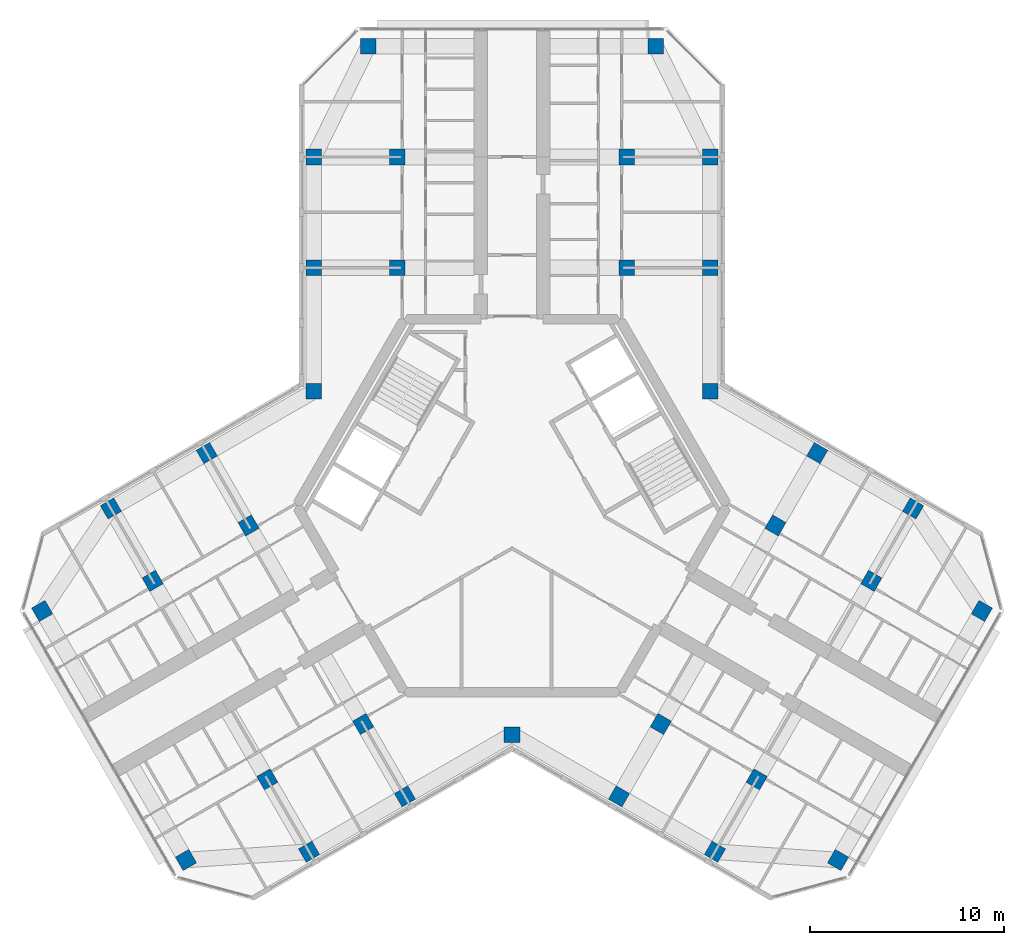
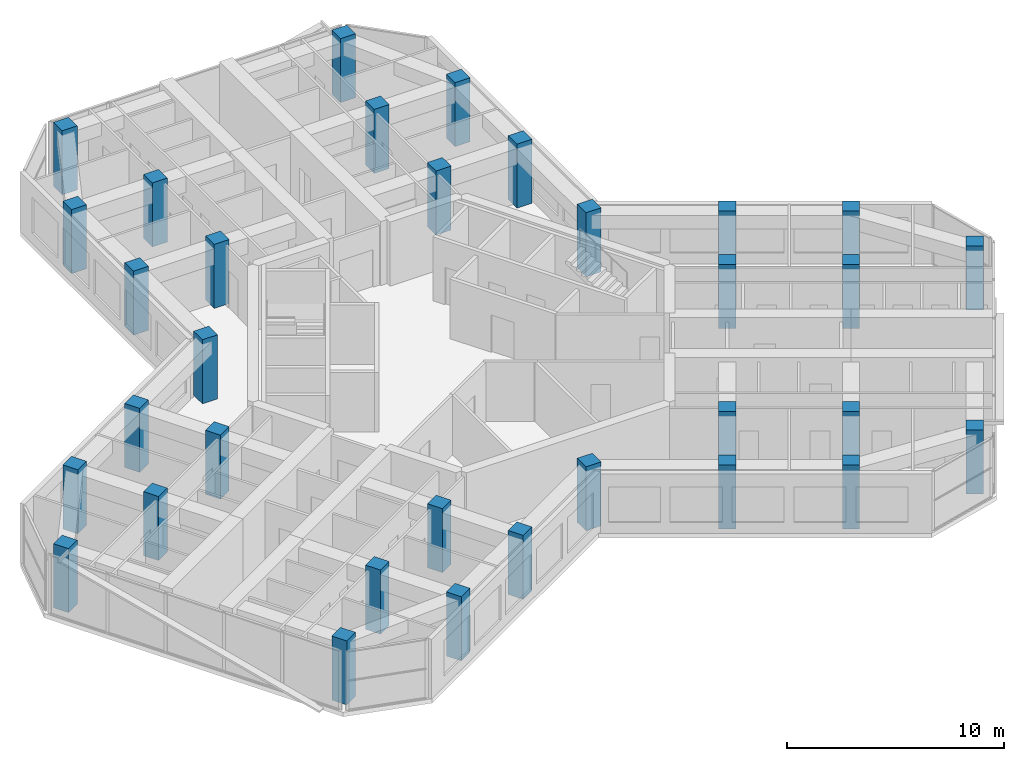
# One storey, part 1 of 14: 33 columns.
"""IFC4 building model written with IfcOpenShell, lengths in metres."""

from ifc_helpers import new_model, si_unit, direction, frame, origin, origin_2d, place, context, subcontext, project, spatial, rectangle, extrude, material, material_profile, profile_set, type_object, element, save


model = new_model("IFC4")

# Units and contexts
model_context = context("Model", 3, precision=1e-05, world=origin(), true_north=direction((0.0, 1.0)))
body_context = subcontext(model_context, "Body", "Model", "MODEL_VIEW")
ifc_project = project(units=[si_unit("LENGTHUNIT", "METRE"), si_unit("AREAUNIT", "SQUARE_METRE"), si_unit("VOLUMEUNIT", "CUBIC_METRE"), si_unit("PLANEANGLEUNIT", "RADIAN"), si_unit("MASSUNIT", "GRAM", prefix="KILO")], contexts=[model_context])

# Site, building, storey
site_placement = place(None, origin())
site = spatial("IfcSite", under=ifc_project, at=site_placement, CompositionType="ELEMENT")
building_placement = place(site_placement, origin())
building = spatial("IfcBuilding", under=site, at=building_placement, Name="Kosmar Iwan School Tower", CompositionType="ELEMENT")
storey_placement = place(building_placement, frame((0.0, 0.0, 289.0)))
storey = spatial("IfcBuildingStorey", under=building, at=storey_placement, Name="L73", CompositionType="ELEMENT", Elevation=289.0)

# Columns
ifc_material_1 = material(Name="Concrete C50/60", Category="concrete")
ifc_material_profile_1 = material_profile(ifc_material_1, rectangle(XDim=0.800048828125, YDim=0.800048828125, at=origin_2d()), Name="RC 800x800 + HE 300 M")
ifc_profile_set_1 = profile_set([ifc_material_profile_1], Name="Concrete C50/60")
column_type_1 = type_object("IfcColumnType", Name="Composite column 800x800 HE 300 M", PredefinedType="COLUMN", material=ifc_profile_set_1)
for number, where, z_axis, x_axis, name in (
    (1, (-10.199951171875, 12.25, 0.0), (0.0, 0.0, 1.0), (0.0, 1.0, 0.0), "Column AL1 L73"),
    (2, (-10.199951171875, 17.949951171875, 0.0), (0.0, 0.0, 1.0), (0.0, 1.0, 0.0), "Column AL2 L73"),
    (3, (-7.39990234375, 23.64990234375, 0.0), (0.0, 0.0, 1.0), (0.0, 1.0, 0.0), "Column ALTIP L73"),
    (4, (10.199951171875, 12.25, 0.0), (0.0, 0.0, 1.0), (0.0, 1.0, 0.0), "Column AR1 L73"),
    (5, (10.199951171875, 17.949951171875, 0.0), (0.0, 0.0, 1.0), (0.0, 1.0, 0.0), "Column AR2 L73"),
    (6, (7.39990234375, 23.64990234375, 0.0), (0.0, 0.0, 1.0), (0.0, 1.0, 0.0), "Column ARTIP L73"),
    (7, (-5.5087890625, -14.95849609375, 0.0), (0.0, 0.0, 1.0), (-0.866025403784, -0.5, 0.0), "Column BL1 L73"),
    (8, (-10.445068359375, -17.808349609375, 0.0), (0.0, 0.0, 1.0), (-0.866025403784, -0.5, 0.0), "Column BL2 L73"),
    (9, (-16.781494140625, -18.233642578125, 0.0), (0.0, 0.0, 1.0), (-0.866025403784, -0.5, 0.0), "Column BLTIP L73"),
    (10, (-15.708740234375, 2.70849609375, 0.0), (0.0, 0.0, 1.0), (-0.866025403784, -0.5, 0.0), "Column BR1 L73"),
    (11, (-20.645263671875, -0.1416015625, 0.0), (0.0, 0.0, 1.0), (-0.866025403784, -0.5, 0.0), "Column BR2 L73"),
    (12, (-24.181396484375, -5.41650390625, 0.0), (0.0, 0.0, 1.0), (-0.866025403784, -0.5, 0.0), "Column BRTIP L73"),
    (13, (15.708740234375, 2.70849609375, 0.0), (0.0, 0.0, 1.0), (0.866025403784, -0.5, 0.0), "Column CL1 L73"),
    (14, (20.645263671875, -0.1416015625, 0.0), (0.0, 0.0, 1.0), (0.866025403784, -0.5, 0.0), "Column CL2 L73"),
    (15, (24.181396484375, -5.41650390625, 0.0), (0.0, 0.0, 1.0), (0.866025403784, -0.5, 0.0), "Column CLTIP L73"),
    (16, (5.5087890625, -14.95849609375, 0.0), (0.0, 0.0, 1.0), (0.866025403784, -0.5, 0.0), "Column CR1 L73"),
    (17, (10.445068359375, -17.808349609375, 0.0), (0.0, 0.0, 1.0), (0.866025403784, -0.5, 0.0), "Column CR2 L73"),
    (18, (16.781494140625, -18.233642578125, 0.0), (0.0, 0.0, 1.0), (0.866025403784, -0.5, 0.0), "Column CRTIP L73"),
    (19, (-10.199951171875, 5.888916015625, 0.0), (0.0, 0.0, 1.0), (1.0, 0.0, 0.0), "Column RAB L73"),
    (20, (10.199951171875, 5.888916015625, 0.0), (0.0, 0.0, 1.0), (1.0, 0.0, 0.0), "Column RAC L73"),
    (21, (0.0, -11.77783203125, 0.0), (0.0, 0.0, 1.0), (1.0, 0.0, 0.0), "Column RBC L73"),
):
    element("IfcColumn", number, at=place(storey_placement, frame(where, z_axis=z_axis, x_axis=x_axis)), inside=storey, type_object=column_type_1, Name=name, PredefinedType="COLUMN", context=body_context, shape_type="SweptSolid", body=[
        extrude(rectangle(XDim=0.800048828125, YDim=0.800048828125, at=origin_2d()), origin(), (0.0, 0.0, 1.0), 3.60009765625),
    ])
ifc_material_2 = material(Name="Concrete C50/60", Category="concrete")
ifc_material_profile_2 = material_profile(ifc_material_2, rectangle(XDim=0.800048828125, YDim=0.800048828125, at=origin_2d()), Name="RC 800x800")
ifc_profile_set_2 = profile_set([ifc_material_profile_2], Name="Concrete C50/60")
column_type_2 = type_object("IfcColumnType", Name="RC interior column 800x800", PredefinedType="COLUMN", material=ifc_profile_set_2)
for number, where, z_axis, x_axis, name in (
    (22, (-5.89990234375, 12.25, 0.0), (0.0, 0.0, 1.0), (0.0, 1.0, 0.0), "Interior column ALI1 L73"),
    (23, (-5.89990234375, 17.949951171875, 0.0), (0.0, 0.0, 1.0), (0.0, 1.0, 0.0), "Interior column ALI2 L73"),
    (24, (5.89990234375, 12.25, 0.0), (0.0, 0.0, 1.0), (0.0, 1.0, 0.0), "Interior column ARI1 L73"),
    (25, (5.89990234375, 17.949951171875, 0.0), (0.0, 0.0, 1.0), (0.0, 1.0, 0.0), "Interior column ARI2 L73"),
    (26, (-7.65869140625, -11.234619140625, 0.0), (0.0, 0.0, 1.0), (-0.866025403784, -0.5, 0.0), "Interior column BLI1 L73"),
    (27, (-12.59521484375, -14.08447265625, 0.0), (0.0, 0.0, 1.0), (-0.866025403784, -0.5, 0.0), "Interior column BLI2 L73"),
    (28, (-13.558837890625, -1.015380859375, 0.0), (0.0, 0.0, 1.0), (-0.866025403784, -0.5, 0.0), "Interior column BRI1 L73"),
    (29, (-18.4951171875, -3.865478515625, 0.0), (0.0, 0.0, 1.0), (-0.866025403784, -0.5, 0.0), "Interior column BRI2 L73"),
    (30, (13.558837890625, -1.015380859375, 0.0), (0.0, 0.0, 1.0), (0.866025403784, -0.5, 0.0), "Interior column CLI1 L73"),
    (31, (18.4951171875, -3.865478515625, 0.0), (0.0, 0.0, 1.0), (0.866025403784, -0.5, 0.0), "Interior column CLI2 L73"),
    (32, (7.65869140625, -11.234619140625, 0.0), (0.0, 0.0, 1.0), (0.866025403784, -0.5, 0.0), "Interior column CRI1 L73"),
    (33, (12.59521484375, -14.08447265625, 0.0), (0.0, 0.0, 1.0), (0.866025403784, -0.5, 0.0), "Interior column CRI2 L73"),
):
    element("IfcColumn", number, at=place(storey_placement, frame(where, z_axis=z_axis, x_axis=x_axis)), inside=storey, type_object=column_type_2, Name=name, PredefinedType="COLUMN", context=body_context, shape_type="SweptSolid", body=[
        extrude(rectangle(XDim=0.800048828125, YDim=0.800048828125, at=origin_2d()), origin(), (0.0, 0.0, 1.0), 3.60009765625),
    ])

save(model, "model.ifc")
